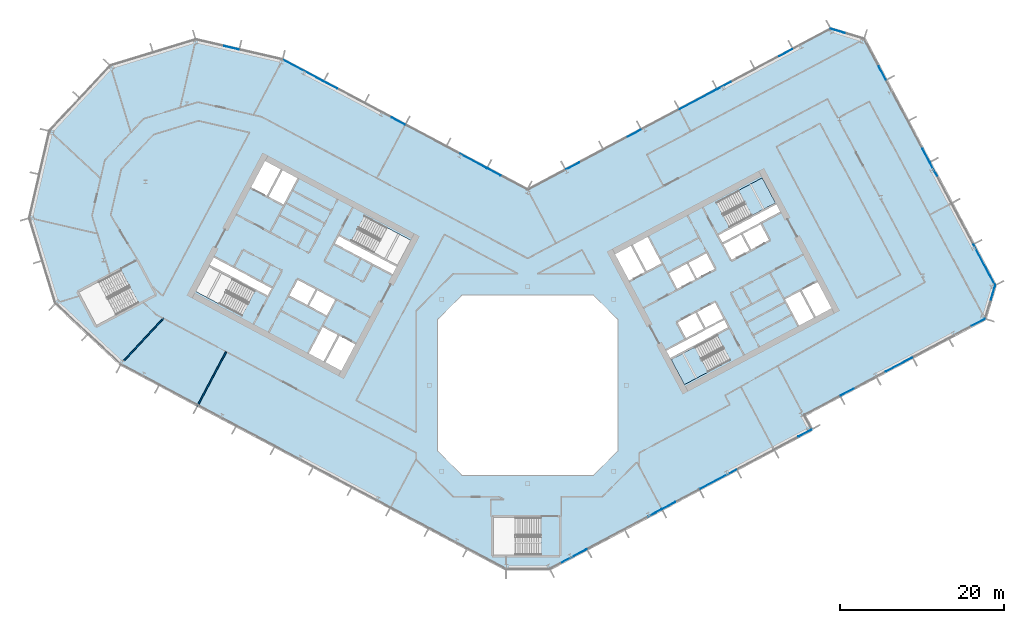
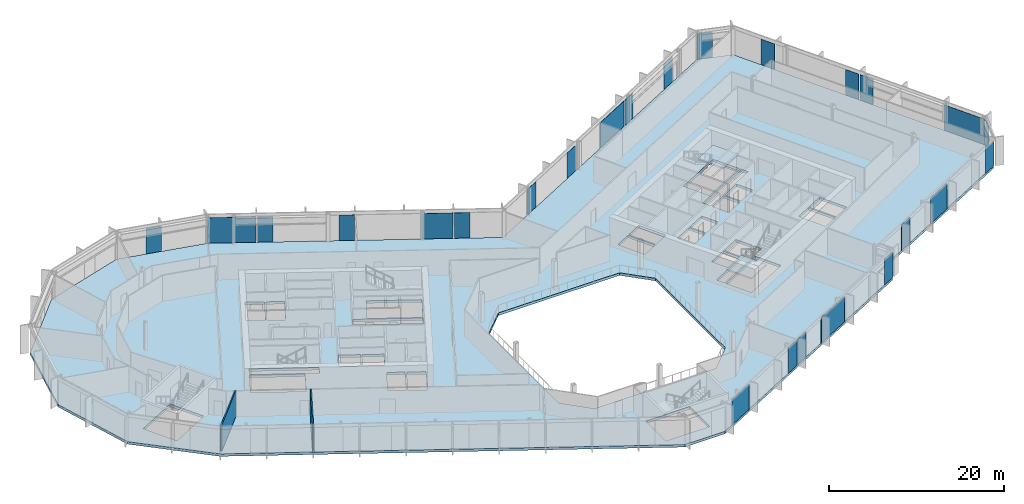
# One storey, part 12 of 28: 25 plates, 3 slabs, 2 walls, 10 elements without a shape of their own.
"""IFC4 building model written with IfcOpenShell, lengths in metres."""

from ifc_helpers import new_model, si_unit, direction, frame, frame_2d, origin, origin_2d, place, context, subcontext, project, spatial, polyline, rectangle, outline, extrude, material, layer, layer_set, type_object, element, aggregate, save


model = new_model("IFC4")

# Units and contexts
model_context = context("Model", 3, precision=1e-05, world=origin(), true_north=direction((0.0, 1.0)))
body_context = subcontext(model_context, "Body", "Model", "MODEL_VIEW")
ifc_project = project(units=[si_unit("LENGTHUNIT", "METRE"), si_unit("AREAUNIT", "SQUARE_METRE"), si_unit("VOLUMEUNIT", "CUBIC_METRE"), si_unit("PLANEANGLEUNIT", "RADIAN"), si_unit("MASSUNIT", "GRAM", prefix="KILO")], contexts=[model_context])

# Site, building, storey
site_placement = place(None, origin())
site = spatial("IfcSite", under=ifc_project, at=site_placement, CompositionType="ELEMENT")
building_placement = place(site_placement, origin())
building = spatial("IfcBuilding", under=site, at=building_placement, Name="Cormorant Relay Tower", CompositionType="ELEMENT")
storey_placement = place(building_placement, frame((0.0, 0.0, 150.199951171875)))
storey = spatial("IfcBuildingStorey", under=building, at=storey_placement, Name="L31", CompositionType="ELEMENT", Elevation=150.199951171875)

# Curtain wall, plates
ifc_material_1 = material(Name="Aluminium 6063-T6 anodised bronze", Category="aluminium")
ifc_layer_1 = layer(ifc_material_1, 0.199951171875)
ifc_layer_set_1 = layer_set([ifc_layer_1], Name="CW1 unitised bronze curtain wall with vertical fins")
curtain_wall_type = type_object("IfcCurtainWallType", Name="CW1 unitised bronze curtain wall with vertical fins", PredefinedType="NOTDEFINED", material=ifc_layer_set_1)
curtain_wall_1_placement = place(storey_placement, origin())
curtain_wall_1 = element("IfcCurtainWall", 1, at=curtain_wall_1_placement, inside=storey, type_object=curtain_wall_type, Name="CW1 curtain wall 2", PredefinedType="NOTDEFINED")
ifc_material_2 = material(Name="Tinted laminated glass", Category="glass")
ifc_layer_2 = layer(ifc_material_2, 0.0400390625)
ifc_layer_set_2 = layer_set([ifc_layer_2], Name="CW1 tinted vision panel 1800 module")
plate_type_1 = type_object("IfcPlateType", Name="CW1 tinted vision panel 1800 module", PredefinedType="CURTAIN_PANEL", material=ifc_layer_set_2)
plate_1_placement = place(storey_placement, frame((15.48291015625, -15.57421875, 0.0), z_axis=(0.0, 0.0, 1.0), x_axis=(0.882947592859, 0.469471562786, 0.0)))
plate_1 = element("IfcPlate", 2, at=plate_1_placement, type_object=plate_type_1, Name="CW1 panel V03", PredefinedType="CURTAIN_PANEL", context=body_context, shape_type="SweptSolid", body=[
    extrude(rectangle(XDim=1.800048828125, YDim=0.0400390625, at=origin_2d()), origin(), (0.0, 0.0, 1.0), 3.550048828125),
])
plate_2_placement = place(storey_placement, frame((17.20458984375, -14.65869140625, 0.0), z_axis=(0.0, 0.0, 1.0), x_axis=(0.882947592859, 0.469471562786, 0.0)))
plate_2 = element("IfcPlate", 3, at=plate_2_placement, type_object=plate_type_1, Name="CW1 panel V04", PredefinedType="CURTAIN_PANEL", context=body_context, shape_type="SweptSolid", body=[
    extrude(rectangle(XDim=1.800048828125, YDim=0.0400390625, at=origin_2d()), origin(), (0.0, 0.0, 1.0), 3.550048828125),
])
plate_3_placement = place(storey_placement, frame((33.796142578125, -5.8369140625, 0.0), z_axis=(0.0, 0.0, 1.0), x_axis=(0.882947592859, 0.469471562786, 0.0)))
plate_3 = element("IfcPlate", 4, at=plate_3_placement, type_object=plate_type_1, Name="CW1 panel V08", PredefinedType="CURTAIN_PANEL", context=body_context, shape_type="SweptSolid", body=[
    extrude(rectangle(XDim=1.800048828125, YDim=0.0400390625, at=origin_2d()), origin(), (0.0, 0.0, 1.0), 3.550048828125),
])

curtain_wall_2_placement = place(storey_placement, origin())
curtain_wall_2 = element("IfcCurtainWall", 5, at=curtain_wall_2_placement, inside=storey, type_object=curtain_wall_type, Name="CW1 curtain wall 4", PredefinedType="NOTDEFINED")
plate_4_placement = place(storey_placement, frame((38.927490234375, -0.843505859375, 0.0), z_axis=(0.0, 0.0, 1.0), x_axis=(0.882947592859, 0.469471562786, 0.0)))
plate_4 = element("IfcPlate", 6, at=plate_4_placement, type_object=plate_type_1, Name="CW1 panel V01", PredefinedType="CURTAIN_PANEL", context=body_context, shape_type="SweptSolid", body=[
    extrude(rectangle(XDim=1.800048828125, YDim=0.0400390625, at=origin_2d()), origin(), (0.0, 0.0, 1.0), 3.550048828125),
])
plate_5_placement = place(storey_placement, frame((54.930908203125, 7.665771484375, 0.0), z_axis=(0.0, 0.0, 1.0), x_axis=(0.882947592859, 0.469471562786, 0.0)))
plate_5 = element("IfcPlate", 7, at=plate_5_placement, type_object=plate_type_1, Name="CW1 panel V05", PredefinedType="CURTAIN_PANEL", context=body_context, shape_type="SweptSolid", body=[
    extrude(rectangle(XDim=1.800048828125, YDim=0.0400390625, at=origin_2d()), origin(), (0.0, 0.0, 1.0), 3.550048828125),
])

# Curtain wall, plate
curtain_wall_3_placement = place(storey_placement, origin())
curtain_wall_3 = element("IfcCurtainWall", 8, at=curtain_wall_3_placement, inside=storey, type_object=curtain_wall_type, Name="CW1 curtain wall 5", PredefinedType="NOTDEFINED")
plate_6_placement = place(storey_placement, frame((56.712646484375, 11.296630859375, 0.0), z_axis=(0.0, 0.0, 1.0), x_axis=(0.292371704723, 0.956304755963, 0.0)))
plate_6 = element("IfcPlate", 9, at=plate_6_placement, type_object=plate_type_1, Name="CW1 panel V01", PredefinedType="CURTAIN_PANEL", context=body_context, shape_type="SweptSolid", body=[
    extrude(rectangle(XDim=1.800048828125, YDim=0.0400390625, at=origin_2d()), origin(), (0.0, 0.0, 1.0), 3.550048828125),
])
aggregate(curtain_wall_3, [plate_6])

# Curtain wall, plates
curtain_wall_4_placement = place(storey_placement, origin())
curtain_wall_4 = element("IfcCurtainWall", 10, at=curtain_wall_4_placement, inside=storey, type_object=curtain_wall_type, Name="CW1 curtain wall 6", PredefinedType="NOTDEFINED")
plate_7_placement = place(storey_placement, frame((49.450927734375, 26.322021484375, 0.0), z_axis=(0.0, 0.0, 1.0), x_axis=(-0.469471562786, 0.882947592859, 0.0)))
plate_7 = element("IfcPlate", 11, at=plate_7_placement, type_object=plate_type_1, Name="CW1 panel V02", PredefinedType="CURTAIN_PANEL", context=body_context, shape_type="SweptSolid", body=[
    extrude(rectangle(XDim=1.800048828125, YDim=0.0400390625, at=origin_2d()), origin(), (0.0, 0.0, 1.0), 3.550048828125),
])
plate_8_placement = place(storey_placement, frame((48.535400390625, 28.043701171875, 0.0), z_axis=(0.0, 0.0, 1.0), x_axis=(-0.469471562786, 0.882947592859, 0.0)))
plate_8 = element("IfcPlate", 12, at=plate_8_placement, type_object=plate_type_1, Name="CW1 panel V03", PredefinedType="CURTAIN_PANEL", context=body_context, shape_type="SweptSolid", body=[
    extrude(rectangle(XDim=1.800048828125, YDim=0.0400390625, at=origin_2d()), origin(), (0.0, 0.0, 1.0), 3.550048828125),
])
plate_9_placement = place(storey_placement, frame((43.21484375, 38.05029296875, 0.0), z_axis=(0.0, 0.0, 1.0), x_axis=(-0.469471562786, 0.882947592859, 0.0)))
plate_9 = element("IfcPlate", 13, at=plate_9_placement, type_object=plate_type_1, Name="CW1 panel V05", PredefinedType="CURTAIN_PANEL", context=body_context, shape_type="SweptSolid", body=[
    extrude(rectangle(XDim=1.800048828125, YDim=0.0400390625, at=origin_2d()), origin(), (0.0, 0.0, 1.0), 3.550048828125),
])

# Curtain wall, plate
curtain_wall_5_placement = place(storey_placement, origin())
curtain_wall_5 = element("IfcCurtainWall", 14, at=curtain_wall_5_placement, inside=storey, type_object=curtain_wall_type, Name="CW1 curtain wall 7", PredefinedType="NOTDEFINED")
plate_10_placement = place(storey_placement, frame((37.8037109375, 43.179931640625, 0.0), z_axis=(0.0, 0.0, 1.0), x_axis=(-0.956304755963, 0.292371704723, 0.0)))
plate_10 = element("IfcPlate", 15, at=plate_10_placement, type_object=plate_type_1, Name="CW1 panel V01", PredefinedType="CURTAIN_PANEL", context=body_context, shape_type="SweptSolid", body=[
    extrude(rectangle(XDim=1.800048828125, YDim=0.0400390625, at=origin_2d()), origin(), (0.0, 0.0, 1.0), 3.550048828125),
])
aggregate(curtain_wall_5, [plate_10])

# Curtain wall, plates
curtain_wall_6_placement = place(storey_placement, origin())
curtain_wall_6 = element("IfcCurtainWall", 16, at=curtain_wall_6_placement, inside=storey, type_object=curtain_wall_type, Name="CW1 curtain wall 8", PredefinedType="NOTDEFINED")
plate_11_placement = place(storey_placement, frame((31.449951171875, 40.52880859375, 0.0), z_axis=(0.0, 0.0, 1.0), x_axis=(-0.882947592859, -0.469471562786, 0.0)))
plate_11 = element("IfcPlate", 17, at=plate_11_placement, type_object=plate_type_1, Name="CW1 panel V01", PredefinedType="CURTAIN_PANEL", context=body_context, shape_type="SweptSolid", body=[
    extrude(rectangle(XDim=1.800048828125, YDim=0.0400390625, at=origin_2d()), origin(), (0.0, 0.0, 1.0), 3.550048828125),
])
plate_12_placement = place(storey_placement, frame((23.937255859375, 36.5341796875, 0.0), z_axis=(0.0, 0.0, 1.0), x_axis=(-0.882947592859, -0.469471562786, 0.0)))
plate_12 = element("IfcPlate", 18, at=plate_12_placement, type_object=plate_type_1, Name="CW1 panel V03", PredefinedType="CURTAIN_PANEL", context=body_context, shape_type="SweptSolid", body=[
    extrude(rectangle(XDim=1.800048828125, YDim=0.0400390625, at=origin_2d()), origin(), (0.0, 0.0, 1.0), 3.550048828125),
])
plate_13_placement = place(storey_placement, frame((12.981201171875, 30.708984375, 0.0), z_axis=(0.0, 0.0, 1.0), x_axis=(-0.882947592859, -0.469471562786, 0.0)))
plate_13 = element("IfcPlate", 19, at=plate_13_placement, type_object=plate_type_1, Name="CW1 panel V06", PredefinedType="CURTAIN_PANEL", context=body_context, shape_type="SweptSolid", body=[
    extrude(rectangle(XDim=1.800048828125, YDim=0.0400390625, at=origin_2d()), origin(), (0.0, 0.0, 1.0), 3.550048828125),
])
plate_14_placement = place(storey_placement, frame((5.468505859375, 26.71435546875, 0.0), z_axis=(0.0, 0.0, 1.0), x_axis=(-0.882947592859, -0.469471562786, 0.0)))
plate_14 = element("IfcPlate", 20, at=plate_14_placement, type_object=plate_type_1, Name="CW1 panel V08", PredefinedType="CURTAIN_PANEL", context=body_context, shape_type="SweptSolid", body=[
    extrude(rectangle(XDim=1.800048828125, YDim=0.0400390625, at=origin_2d()), origin(), (0.0, 0.0, 1.0), 3.550048828125),
])

curtain_wall_7_placement = place(storey_placement, origin())
curtain_wall_7 = element("IfcCurtainWall", 21, at=curtain_wall_7_placement, inside=storey, type_object=curtain_wall_type, Name="CW1 curtain wall 9", PredefinedType="NOTDEFINED")
plate_15_placement = place(storey_placement, frame((-4.108642578125, 25.9912109375, 0.0), z_axis=(0.0, 0.0, 1.0), x_axis=(-0.882947592859, 0.469471562786, 0.0)))
plate_15 = element("IfcPlate", 22, at=plate_15_placement, type_object=plate_type_1, Name="CW1 panel V01", PredefinedType="CURTAIN_PANEL", context=body_context, shape_type="SweptSolid", body=[
    extrude(rectangle(XDim=1.800048828125, YDim=0.0400390625, at=origin_2d()), origin(), (0.0, 0.0, 1.0), 3.550048828125),
])
plate_16_placement = place(storey_placement, frame((-15.788330078125, 32.201416015625, 0.0), z_axis=(0.0, 0.0, 1.0), x_axis=(-0.882947592859, 0.469471562786, 0.0)))
plate_16 = element("IfcPlate", 23, at=plate_16_placement, type_object=plate_type_1, Name="CW1 panel V04", PredefinedType="CURTAIN_PANEL", context=body_context, shape_type="SweptSolid", body=[
    extrude(rectangle(XDim=1.800048828125, YDim=0.0400390625, at=origin_2d()), origin(), (0.0, 0.0, 1.0), 3.550048828125),
])
plate_17_placement = place(storey_placement, frame((-24.0244140625, 36.580810546875, 0.0), z_axis=(0.0, 0.0, 1.0), x_axis=(-0.882947592859, 0.469471562786, 0.0)))
plate_17 = element("IfcPlate", 24, at=plate_17_placement, type_object=plate_type_1, Name="CW1 panel V06", PredefinedType="CURTAIN_PANEL", context=body_context, shape_type="SweptSolid", body=[
    extrude(rectangle(XDim=1.800048828125, YDim=0.0400390625, at=origin_2d()), origin(), (0.0, 0.0, 1.0), 3.550048828125),
])

# Curtain wall, plate
curtain_wall_8_placement = place(storey_placement, origin())
curtain_wall_8 = element("IfcCurtainWall", 25, at=curtain_wall_8_placement, inside=storey, type_object=curtain_wall_type, Name="CW1 curtain wall 10", PredefinedType="NOTDEFINED")
plate_18_placement = place(storey_placement, frame((-36.114990234375, 41.129638671875, 0.0), z_axis=(0.0, 0.0, 1.0), x_axis=(-0.974370064785, 0.224951054344, 0.0)))
plate_18 = element("IfcPlate", 26, at=plate_18_placement, type_object=plate_type_1, Name="CW1 panel V01", PredefinedType="CURTAIN_PANEL", context=body_context, shape_type="SweptSolid", body=[
    extrude(rectangle(XDim=1.800048828125, YDim=0.0400390625, at=origin_2d()), origin(), (0.0, 0.0, 1.0), 3.550048828125),
])
aggregate(curtain_wall_8, [plate_18])

# Plate
ifc_material_3 = material(Name="Tinted laminated glass", Category="glass")
ifc_layer_3 = layer(ifc_material_3, 0.0400390625)
ifc_layer_set_3 = layer_set([ifc_layer_3], Name="CW1 tinted vision panel 3600 module")
plate_type_2 = type_object("IfcPlateType", Name="CW1 tinted vision panel 3600 module", PredefinedType="CURTAIN_PANEL", material=ifc_layer_set_3)
plate_19_placement = place(storey_placement, frame((5.564453125, -20.847900390625, 0.0), z_axis=(0.0, 0.0, 1.0), x_axis=(0.882947592859, 0.469471562786, 0.0)))
plate_19 = element("IfcPlate", 27, at=plate_19_placement, type_object=plate_type_2, Name="CW1 panel V01", PredefinedType="CURTAIN_PANEL", context=body_context, shape_type="SweptSolid", body=[
    extrude(rectangle(XDim=3.60009765625, YDim=0.0400390625, at=origin_2d()), origin(), (0.0, 0.0, 1.0), 3.550048828125),
])

plate_20_placement = place(storey_placement, frame((45.240478515625, 2.513427734375, 0.0), z_axis=(0.0, 0.0, 1.0), x_axis=(0.882947592859, 0.469471562786, 0.0)))
plate_20 = element("IfcPlate", 28, at=plate_20_placement, type_object=plate_type_2, Name="CW1 panel V03", PredefinedType="CURTAIN_PANEL", context=body_context, shape_type="SweptSolid", body=[
    extrude(rectangle(XDim=3.60009765625, YDim=0.0400390625, at=origin_2d()), origin(), (0.0, 0.0, 1.0), 3.550048828125),
])

aggregate(curtain_wall_2, [plate_4, plate_20, plate_5])

plate_21_placement = place(storey_placement, frame((-6.625, 27.3291015625, 0.0), z_axis=(0.0, 0.0, 1.0), x_axis=(-0.882947592859, 0.469471562786, 0.0)))
plate_21 = element("IfcPlate", 29, at=plate_21_placement, type_object=plate_type_2, Name="CW1 panel V02", PredefinedType="CURTAIN_PANEL", context=body_context, shape_type="SweptSolid", body=[
    extrude(rectangle(XDim=3.60009765625, YDim=0.0400390625, at=origin_2d()), origin(), (0.0, 0.0, 1.0), 3.550048828125),
])

ifc_material_4 = material(Name="Tinted laminated glass", Category="glass")
ifc_layer_4 = layer(ifc_material_4, 0.0400390625)
ifc_layer_set_4 = layer_set([ifc_layer_4], Name="CW1 tinted vision panel 5400 module")
plate_type_3 = type_object("IfcPlateType", Name="CW1 tinted vision panel 5400 module", PredefinedType="CURTAIN_PANEL", material=ifc_layer_set_4)
plate_22_placement = place(storey_placement, frame((23.186279296875, -11.478271484375, 0.0), z_axis=(0.0, 0.0, 1.0), x_axis=(0.882947592859, 0.469471562786, 0.0)))
plate_22 = element("IfcPlate", 30, at=plate_22_placement, type_object=plate_type_3, Name="CW1 panel V06", PredefinedType="CURTAIN_PANEL", context=body_context, shape_type="SweptSolid", body=[
    extrude(rectangle(XDim=5.0166015625, YDim=0.0400390625, at=origin_2d()), origin(), (0.0, 0.0, 1.0), 3.550048828125),
])

aggregate(curtain_wall_1, [plate_19, plate_1, plate_2, plate_22, plate_3])

plate_23_placement = place(storey_placement, frame((55.64404296875, 14.67431640625, 0.0), z_axis=(0.0, 0.0, 1.0), x_axis=(-0.469471562786, 0.882947592859, 0.0)))
plate_23 = element("IfcPlate", 31, at=plate_23_placement, type_object=plate_type_3, Name="CW1 panel V00", PredefinedType="CURTAIN_PANEL", context=body_context, shape_type="SweptSolid", body=[
    extrude(rectangle(XDim=5.5166015625, YDim=0.0400390625, at=origin_2d()), origin(), (0.0, 0.0, 1.0), 3.550048828125),
])

aggregate(curtain_wall_4, [plate_23, plate_7, plate_8, plate_9])

plate_24_placement = place(storey_placement, frame((20.767822265625, 34.84912109375, 0.0), z_axis=(0.0, 0.0, 1.0), x_axis=(-0.882947592859, -0.469471562786, 0.0)))
plate_24 = element("IfcPlate", 32, at=plate_24_placement, type_object=plate_type_3, Name="CW1 panel V04", PredefinedType="CURTAIN_PANEL", context=body_context, shape_type="SweptSolid", body=[
    extrude(rectangle(XDim=5.079345703125, YDim=0.0400390625, at=origin_2d()), origin(), (0.0, 0.0, 1.0), 3.550048828125),
])

aggregate(curtain_wall_6, [plate_11, plate_12, plate_24, plate_13, plate_14])

plate_25_placement = place(storey_placement, frame((-27.407958984375, 38.379638671875, 0.0), z_axis=(0.0, 0.0, 1.0), x_axis=(-0.882947592859, 0.469471562786, 0.0)))
plate_25 = element("IfcPlate", 33, at=plate_25_placement, type_object=plate_type_3, Name="CW1 panel V07", PredefinedType="CURTAIN_PANEL", context=body_context, shape_type="SweptSolid", body=[
    extrude(rectangle(XDim=5.56396484375, YDim=0.0400390625, at=origin_2d()), origin(), (0.0, 0.0, 1.0), 3.550048828125),
])

aggregate(curtain_wall_7, [plate_15, plate_21, plate_16, plate_17, plate_25])

# Stair, slab
ifc_material_5 = material(Name="Concrete 40 MPa", Category="concrete")
stair_type = type_object("IfcStairType", Name="Exit stair 1500", PredefinedType="HALF_TURN_STAIR", material=ifc_material_5)
stair_1_placement = place(storey_placement, origin())
stair_1 = element("IfcStair", 34, at=stair_1_placement, inside=storey, type_object=stair_type, Name="L31 Stair", PredefinedType="HALF_TURN_STAIR")
ifc_material_6 = material(Name="Concrete 40 MPa", Category="concrete")
ifc_layer_5 = layer(ifc_material_6, 0.199951171875)
ifc_layer_set_5 = layer_set([ifc_layer_5], Name="Exit stair landing 200")
slab_type_1 = type_object("IfcSlabType", Name="Exit stair landing 200", PredefinedType="LANDING", material=ifc_layer_set_5)
slab_1_placement = place(storey_placement, frame((0.0, 0.0, 1.800048828125)))
slab_1 = element("IfcSlab", 35, at=slab_1_placement, type_object=slab_type_1, Name="B1 landing 1", PredefinedType="LANDING", context=body_context, shape_type="SweptSolid", body=[
    extrude(outline(polyline([(20.36767578125, 4.6572265625), (17.48046875, 3.1220703125), (19.10009765625, 0.075927734375), (21.9873046875, 1.611083984375), (20.36767578125, 4.6572265625)])), origin(), (0.0, 0.0, 1.0), 0.199951171875),
])
aggregate(stair_1, [slab_1])

stair_2_placement = place(storey_placement, origin())
stair_2 = element("IfcStair", 36, at=stair_2_placement, inside=storey, type_object=stair_type, Name="L31 Stair", PredefinedType="HALF_TURN_STAIR")
slab_2_placement = place(storey_placement, frame((0.0, 0.0, 1.800048828125)))
slab_2 = element("IfcSlab", 37, at=slab_2_placement, type_object=slab_type_1, Name="B2 landing 1", PredefinedType="LANDING", context=body_context, shape_type="SweptSolid", body=[
    extrude(outline(polyline([(27.3115234375, 20.6943359375), (30.19873046875, 22.2294921875), (28.5791015625, 25.275634765625), (25.69189453125, 23.740478515625), (27.3115234375, 20.6943359375)])), origin(), (0.0, 0.0, 1.0), 0.199951171875),
])
aggregate(stair_2, [slab_2])

# Slab
ifc_material_7 = material(Name="Concrete 40 MPa", Category="concrete")
ifc_layer_6 = layer(ifc_material_7, 0.360107421875)
ifc_layer_set_6 = layer_set([ifc_layer_6], Name="Flat plate 360")
slab_type_2 = type_object("IfcSlabType", Name="Flat plate 360", PredefinedType="FLOOR", material=ifc_layer_set_6)
slab_3_placement = place(storey_placement, frame((0.0, 0.0, -0.35986328125)))
element("IfcSlab", 38, at=slab_3_placement, inside=storey, type_object=slab_type_2, Name="Floor slab L31", PredefinedType="FLOOR", context=body_context, shape_type="SweptSolid", body=[
    extrude(outline(polyline([(-60.7197265625, 20.393310546875), (-58.2744140625, 30.985107421875), (-50.86083984375, 38.935302734375), (-40.465576171875, 42.11328125), (-29.873779296875, 39.668212890625), (0.0, 23.783935546875), (36.937255859375, 43.423828125), (40.99462890625, 42.18359375), (56.95654296875, 12.1630859375), (55.71630859375, 8.10595703125), (33.642578125, -3.630859375), (34.581298828125, -5.396728515625), (2.648681640625, -22.37548828125), (-2.648681640625, -22.37548828125), (-49.591552734375, 2.584228515625), (-57.541748046875, 9.997802734375), (-60.7197265625, 20.393310546875)]), holes=[polyline([(11.0, -8.0), (11.0, 8.0), (8.0, 11.0), (-8.0, 11.0), (-11.0, 8.0), (-11.0, -8.0), (-8.0, -11.0), (8.0, -11.0), (11.0, -8.0)]), polyline([(-4.199951171875, -16.125), (-4.199951171875, -20.675048828125), (1.60009765625, -20.675048828125), (1.60009765625, -16.125), (-4.199951171875, -16.125)]), polyline([(-22.95458984375, 6.03271484375), (-24.668212890625, 2.81005859375), (-22.725830078125, 1.777099609375), (-21.01220703125, 5.0), (-23.04296875, 6.07958984375), (-22.95458984375, 6.03271484375)]), polyline([(-24.985595703125, 7.112548828125), (-26.69921875, 3.889892578125), (-24.844970703125, 2.90380859375), (-23.13134765625, 6.126708984375), (-23.04296875, 6.07958984375), (-24.985595703125, 7.112548828125)]), polyline([(-24.481201171875, 8.48681640625), (-23.448486328125, 10.42919921875), (-25.656005859375, 11.602783203125), (-26.688720703125, 9.660400390625), (-24.481201171875, 8.48681640625)]), polyline([(-49.57861328125, 14.0537109375), (-54.69970703125, 11.330810546875), (-52.563720703125, 7.3134765625), (-47.442626953125, 10.036376953125), (-49.57861328125, 14.0537109375)]), polyline([(-25.83251953125, 11.69677734375), (-28.039794921875, 12.870361328125), (-29.07275390625, 10.927978515625), (-26.865234375, 9.75439453125), (-25.83251953125, 11.69677734375)]), polyline([(-38.847900390625, 14.483154296875), (-40.46728515625, 11.43701171875), (-34.860595703125, 8.455810546875), (-33.240966796875, 11.502197265625), (-38.847900390625, 14.483154296875)]), polyline([(-38.260986328125, 15.5869140625), (-38.75390625, 14.659912109375), (-31.690185546875, 10.904052734375), (-31.197265625, 11.8310546875), (-38.260986328125, 15.5869140625)]), polyline([(14.3056640625, 13.779052734375), (12.592041015625, 17.001708984375), (10.649658203125, 15.968994140625), (12.36328125, 12.74609375), (14.39404296875, 13.825927734375), (14.3056640625, 13.779052734375)]), polyline([(16.33642578125, 14.85888671875), (14.622802734375, 18.08154296875), (12.768798828125, 17.095703125), (14.482421875, 13.872802734375), (14.39404296875, 13.825927734375), (16.33642578125, 14.85888671875)]), polyline([(-16.481689453125, 13.520263671875), (-15.989013671875, 14.447509765625), (-23.052490234375, 18.203125), (-23.54541015625, 17.276123046875), (-16.481689453125, 13.520263671875)]), polyline([(-21.501708984375, 17.605224609375), (-15.89501953125, 14.6240234375), (-14.275390625, 17.670166015625), (-19.882080078125, 20.6513671875), (-21.501708984375, 17.605224609375)]), polyline([(-31.611572265625, 22.980712890625), (-29.75732421875, 21.99462890625), (-28.043701171875, 25.217529296875), (-29.89794921875, 26.203369140625), (-31.611572265625, 22.980712890625)]), polyline([(-32.01708984375, 27.330078125), (-33.73046875, 24.107421875), (-31.7880859375, 23.074462890625), (-30.074462890625, 26.29736328125), (-32.01708984375, 27.330078125)]), polyline([(17.48046875, 3.1220703125), (19.10009765625, 0.07568359375), (24.706787109375, 3.056884765625), (23.087158203125, 6.10302734375), (17.48046875, 3.1220703125)]), polyline([(16.8935546875, 4.2255859375), (17.386474609375, 3.298583984375), (24.4501953125, 7.054443359375), (23.957275390625, 7.9814453125), (16.8935546875, 4.2255859375)]), polyline([(20.446533203125, 8.8330078125), (18.239013671875, 7.6591796875), (19.27197265625, 5.716796875), (21.479248046875, 6.890380859375), (20.446533203125, 8.8330078125)]), polyline([(21.656005859375, 6.984375), (23.86328125, 8.158203125), (22.830322265625, 10.1005859375), (20.623046875, 8.927001953125), (21.656005859375, 6.984375)]), polyline([(33.197021484375, 11.478515625), (31.3427734375, 10.49267578125), (33.056396484375, 7.27001953125), (34.910400390625, 8.255859375), (33.197021484375, 11.478515625)]), polyline([(33.37353515625, 11.572509765625), (35.087158203125, 8.349609375), (37.029541015625, 9.382568359375), (35.31591796875, 12.605224609375), (33.37353515625, 11.572509765625)]), polyline([(17.19384765625, 13.67236328125), (18.2265625, 11.72998046875), (20.43408203125, 12.903564453125), (19.401123046875, 14.84619140625), (17.19384765625, 13.67236328125)]), polyline([(20.610595703125, 12.99755859375), (22.81787109375, 14.171142578125), (21.78515625, 16.113525390625), (19.57763671875, 14.93994140625), (20.610595703125, 12.99755859375)]), polyline([(26.023193359375, 18.3671875), (23.81591796875, 17.193359375), (24.8486328125, 15.2509765625), (27.05615234375, 16.424560546875), (26.023193359375, 18.3671875)]), polyline([(29.440185546875, 17.692138671875), (28.4072265625, 19.634765625), (26.19970703125, 18.4609375), (27.232666015625, 16.5185546875), (29.440185546875, 17.692138671875)]), polyline([(30.78564453125, 21.125732421875), (30.29248046875, 22.052978515625), (23.22900390625, 18.297119140625), (23.721923828125, 17.3701171875), (30.78564453125, 21.125732421875)]), polyline([(24.592041015625, 19.248291015625), (30.19873046875, 22.2294921875), (28.5791015625, 25.275634765625), (22.972412109375, 22.29443359375), (24.592041015625, 19.248291015625)])]), origin(), (0.0, 0.0, 1.0), 0.35986328125),
])

# Walls
ifc_material_8 = material(Name="Gypsum board partition")
ifc_layer_7 = layer(ifc_material_8, 0.14990234375)
ifc_layer_set_7 = layer_set([ifc_layer_7], Name="Tenant partition 150")
wall_type = type_object("IfcWallType", Name="Tenant partition 150", PredefinedType="PARTITIONING", material=ifc_layer_set_7)
wall_1_placement = place(storey_placement, frame((-44.402099609375, 8.14892578125, 0.0), z_axis=(0.0, 0.0, 1.0), x_axis=(-0.682039957921, -0.731314908777, 0.0)))
element("IfcWall", 39, at=wall_1_placement, inside=storey, type_object=wall_type, Name="wall/L31/part/011", PredefinedType="PARTITIONING", context=body_context, shape_type="SweptSolid", body=[
    extrude(rectangle(XDim=7.0654296875, YDim=0.14990234375, at=frame_2d((3.53271484375, 0.0))), origin(), (0.0, 0.0, 1.0), 3.64013671875),
])
wall_2_placement = place(storey_placement, frame((-36.751953125, 4.08203125, 0.0), z_axis=(0.0, 0.0, 1.0), x_axis=(-0.46955237308, -0.88290462052, 0.0)))
element("IfcWall", 40, at=wall_2_placement, inside=storey, type_object=wall_type, Name="wall/L31/part/012", PredefinedType="PARTITIONING", context=body_context, shape_type="SweptSolid", body=[
    extrude(rectangle(XDim=7.550048828125, YDim=0.14990234375, at=frame_2d((3.77490234375, 0.0))), origin(), (0.0, 0.0, 1.0), 3.64013671875),
])

save(model, "model.ifc")
